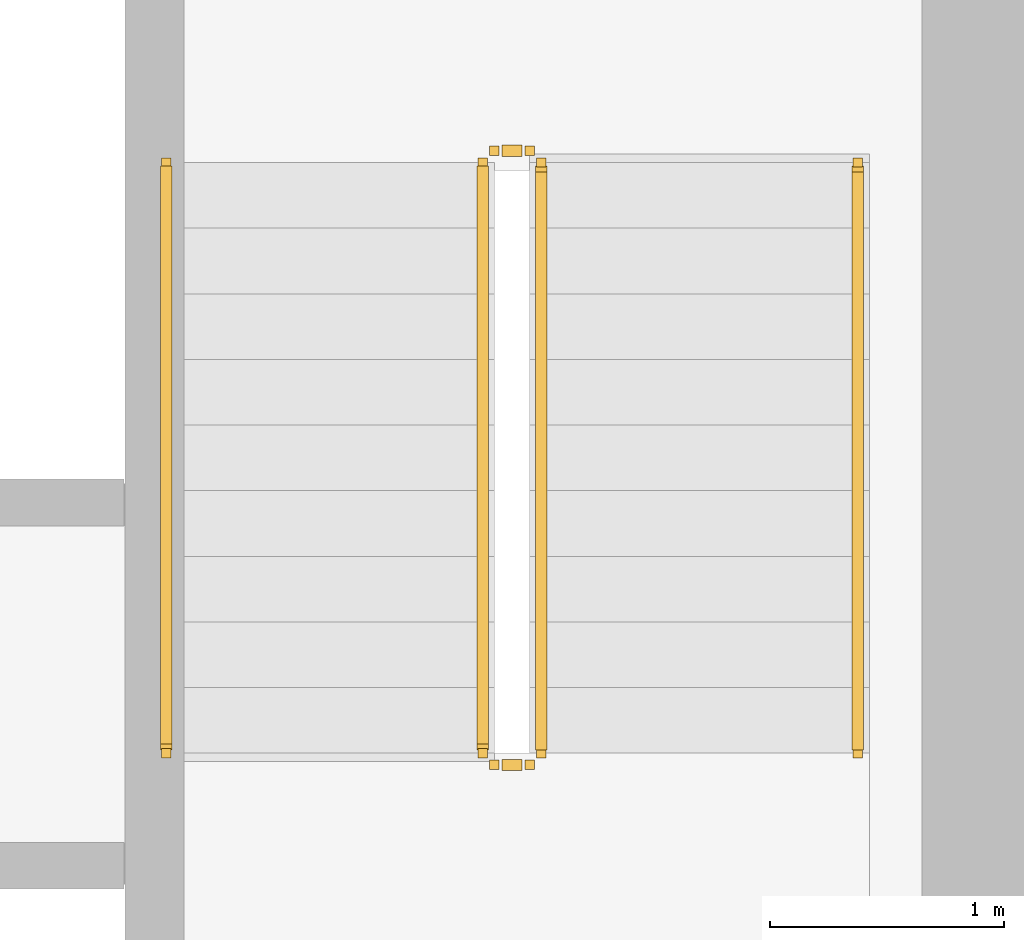
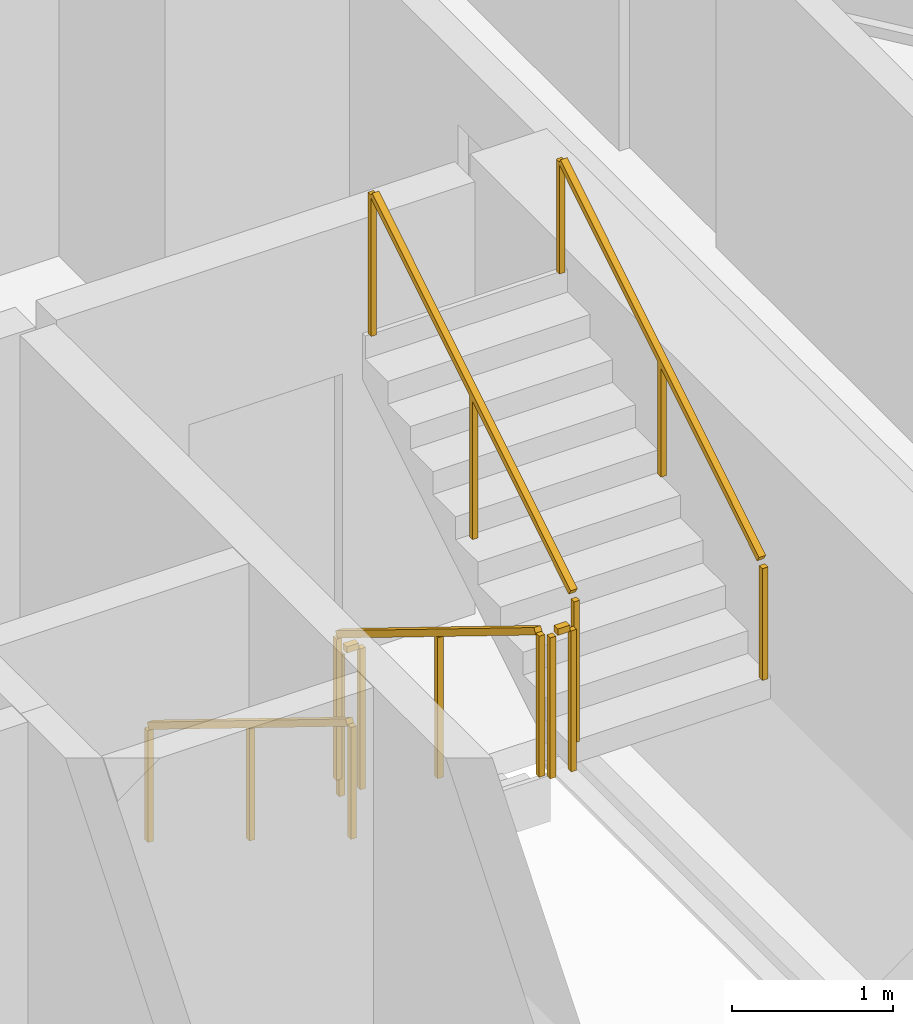
# One storey, part 14 of 15: 6 railings.
"""IFC4 building model written with IfcOpenShell, lengths in metres."""

from ifc_helpers import new_model, si_unit, direction, frame, origin, origin_2d, place, context, subcontext, project, spatial, rectangle, extrude, material, type_object, element, save


model = new_model("IFC4")

# Units and contexts
model_context = context("Model", 3, precision=1e-05, world=origin(), true_north=direction((0.0, 1.0)))
body_context = subcontext(model_context, "Body", "Model", "MODEL_VIEW")
ifc_project = project(units=[si_unit("LENGTHUNIT", "METRE"), si_unit("AREAUNIT", "SQUARE_METRE"), si_unit("VOLUMEUNIT", "CUBIC_METRE"), si_unit("PLANEANGLEUNIT", "RADIAN"), si_unit("MASSUNIT", "GRAM", prefix="KILO")], contexts=[model_context])

# Site, building, storey
site_placement = place(None, origin())
site = spatial("IfcSite", under=ifc_project, at=site_placement, CompositionType="ELEMENT")
building_placement = place(site_placement, origin())
building = spatial("IfcBuilding", under=site, at=building_placement, Name="Tharavind Bronze Gate", CompositionType="ELEMENT")
storey_placement = place(building_placement, frame((0.0, 0.0, 57.0)))
storey = spatial("IfcBuildingStorey", under=building, at=storey_placement, Name="L13", CompositionType="ELEMENT", Elevation=57.0)

# Railings
ifc_material = material(Name="Brushed Bronze Alloy", Category="metal")
railing_type_1 = type_object("IfcRailingType", Name="STAIR BRONZE HANDRAIL 900", PredefinedType="HANDRAIL", material=ifc_material)
railing_1_placement = place(storey_placement, frame((5.39990234375, 2.25, 0.172607421875)))
element("IfcRailing", 1, at=railing_1_placement, inside=storey, type_object=railing_type_1, Name="L13 ST2 stair handrail 1", PredefinedType="HANDRAIL", context=body_context, shape_type="SweptSolid", body=[
    extrude(rectangle(XDim=0.048095703125, YDim=0.048095703125, at=origin_2d()), frame((0.0, -0.02734375, 0.892578125), z_axis=(0.0, -0.851400495292, 0.524516154772), x_axis=(1.0, 0.0, 0.0)), (0.0, 0.0, 1.0), 2.895751953125),
    extrude(rectangle(XDim=0.0400390625, YDim=0.0400390625, at=origin_2d()), origin(), (0.0, 0.0, 1.0), 0.847900390625),
    extrude(rectangle(XDim=0.0400390625, YDim=0.0400390625, at=origin_2d()), frame((0.0, -1.260009765625, 0.7763671875)), (0.0, 0.0, 1.0), 0.847900390625),
    extrude(rectangle(XDim=0.0400390625, YDim=0.0400390625, at=origin_2d()), frame((0.0, -2.52001953125, 1.552490234375)), (0.0, 0.0, 1.0), 0.847900390625),
])
railing_2_placement = place(storey_placement, frame((8.35009765625, -0.27001953125, 1.8974609375)))
element("IfcRailing", 2, at=railing_2_placement, inside=storey, type_object=railing_type_1, Name="L13 ST2 stair handrail 2", PredefinedType="HANDRAIL", context=body_context, shape_type="SweptSolid", body=[
    extrude(rectangle(XDim=0.048095703125, YDim=0.048095703125, at=origin_2d()), frame((0.0, 0.02734375, 0.892578125), z_axis=(0.0, 0.851400495292, 0.524516154772), x_axis=(-1.0, 0.0, 0.0)), (0.0, 0.0, 1.0), 2.895751953125),
    extrude(rectangle(XDim=0.0400390625, YDim=0.0400390625, at=origin_2d()), origin(), (0.0, 0.0, 1.0), 0.847900390625),
    extrude(rectangle(XDim=0.0400390625, YDim=0.0400390625, at=origin_2d()), frame((0.0, 1.260009765625, 0.7763671875)), (0.0, 0.0, 1.0), 0.847900390625),
    extrude(rectangle(XDim=0.0400390625, YDim=0.0400390625, at=origin_2d()), frame((0.0, 2.52001953125, 1.552490234375)), (0.0, 0.0, 1.0), 0.847900390625),
])
railing_type_2 = type_object("IfcRailingType", Name="STAIR WELL GUARD RAILING 1120", PredefinedType="GUARDRAIL", material=ifc_material)
railing_3_placement = place(storey_placement, frame((6.75, 2.25, 0.172607421875)))
element("IfcRailing", 3, at=railing_3_placement, inside=storey, type_object=railing_type_2, Name="L13 ST2 stair guard 1", PredefinedType="GUARDRAIL", context=body_context, shape_type="SweptSolid", body=[
    extrude(rectangle(XDim=0.048095703125, YDim=0.048095703125, at=origin_2d()), frame((0.0, -0.02734375, 1.11279296875), z_axis=(0.0, -0.851400495292, 0.524516154772), x_axis=(1.0, 0.0, 0.0)), (0.0, 0.0, 1.0), 2.895751953125),
    extrude(rectangle(XDim=0.0400390625, YDim=0.0400390625, at=origin_2d()), origin(), (0.0, 0.0, 1.0), 1.068115234375),
    extrude(rectangle(XDim=0.0400390625, YDim=0.0400390625, at=origin_2d()), frame((0.0, -1.260009765625, 0.7763671875)), (0.0, 0.0, 1.0), 1.068115234375),
    extrude(rectangle(XDim=0.0400390625, YDim=0.0400390625, at=origin_2d()), frame((0.0, -2.52001953125, 1.552490234375)), (0.0, 0.0, 1.0), 1.068115234375),
])
railing_4_placement = place(storey_placement, frame((6.800048828125, -0.320068359375, 1.72509765625)))
element("IfcRailing", 4, at=railing_4_placement, inside=storey, type_object=railing_type_2, Name="L13 ST2 stair guard 2", PredefinedType="GUARDRAIL", context=body_context, shape_type="SweptSolid", body=[
    extrude(rectangle(XDim=0.048095703125, YDim=0.048095703125, at=origin_2d()), frame((0.031982421875, 0.0, 1.09619140625), z_axis=(1.0, 0.0, 0.0), x_axis=(0.0, 1.0, 0.0)), (0.0, 0.0, 1.0), 0.0859375),
    extrude(rectangle(XDim=0.0400390625, YDim=0.0400390625, at=origin_2d()), origin(), (0.0, 0.0, 1.0), 1.068115234375),
    extrude(rectangle(XDim=0.0400390625, YDim=0.0400390625, at=origin_2d()), frame((0.14990234375, 0.0, 0.0)), (0.0, 0.0, 1.0), 1.068115234375),
])
railing_5_placement = place(storey_placement, frame((7.0, -0.27001953125, 1.8974609375)))
element("IfcRailing", 5, at=railing_5_placement, inside=storey, type_object=railing_type_2, Name="L13 ST2 stair guard 3", PredefinedType="GUARDRAIL", context=body_context, shape_type="SweptSolid", body=[
    extrude(rectangle(XDim=0.048095703125, YDim=0.048095703125, at=origin_2d()), frame((0.0, 0.02734375, 1.11279296875), z_axis=(0.0, 0.851400495292, 0.524516154772), x_axis=(-1.0, 0.0, 0.0)), (0.0, 0.0, 1.0), 2.895751953125),
    extrude(rectangle(XDim=0.0400390625, YDim=0.0400390625, at=origin_2d()), origin(), (0.0, 0.0, 1.0), 1.068115234375),
    extrude(rectangle(XDim=0.0400390625, YDim=0.0400390625, at=origin_2d()), frame((0.0, 1.260009765625, 0.7763671875)), (0.0, 0.0, 1.0), 1.068115234375),
    extrude(rectangle(XDim=0.0400390625, YDim=0.0400390625, at=origin_2d()), frame((0.0, 2.52001953125, 1.552490234375)), (0.0, 0.0, 1.0), 1.068115234375),
])
railing_6_placement = place(storey_placement, frame((6.800048828125, 2.300048828125, 0.0)))
element("IfcRailing", 6, at=railing_6_placement, inside=storey, type_object=railing_type_2, Name="L13 ST2 stair guard 4", PredefinedType="GUARDRAIL", context=body_context, shape_type="SweptSolid", body=[
    extrude(rectangle(XDim=0.048095703125, YDim=0.048095703125, at=origin_2d()), frame((0.031982421875, 0.0, 1.09619140625), z_axis=(1.0, 0.0, 0.0), x_axis=(0.0, 1.0, 0.0)), (0.0, 0.0, 1.0), 0.0859375),
    extrude(rectangle(XDim=0.0400390625, YDim=0.0400390625, at=origin_2d()), origin(), (0.0, 0.0, 1.0), 1.068115234375),
    extrude(rectangle(XDim=0.0400390625, YDim=0.0400390625, at=origin_2d()), frame((0.14990234375, 0.0, 0.0)), (0.0, 0.0, 1.0), 1.068115234375),
])

save(model, "model.ifc")
